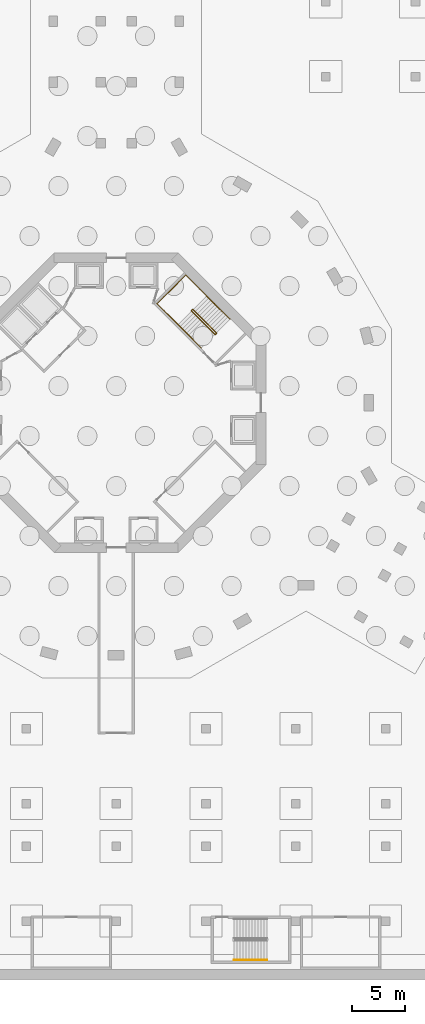
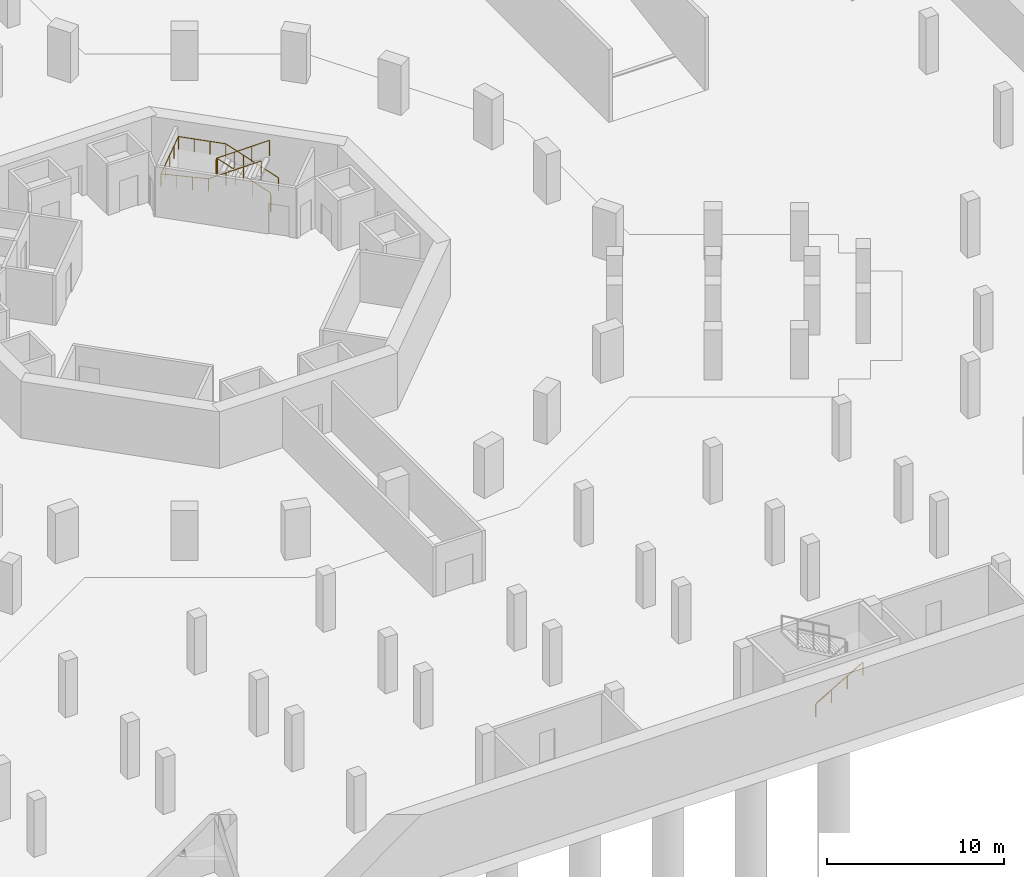
# One storey, part 21 of 27: 3 railings.
"""IFC4 building model written with IfcOpenShell, lengths in metres."""

from ifc_helpers import new_model, si_unit, direction, frame, origin, origin_2d, place, context, subcontext, project, spatial, circle, extrude, material, type_object, element, save


model = new_model("IFC4")

# Units and contexts
model_context = context("Model", 3, precision=1e-05, world=origin(), true_north=direction((0.0, 1.0)))
body_context = subcontext(model_context, "Body", "Model", "MODEL_VIEW")
ifc_project = project(units=[si_unit("LENGTHUNIT", "METRE"), si_unit("AREAUNIT", "SQUARE_METRE"), si_unit("VOLUMEUNIT", "CUBIC_METRE"), si_unit("PLANEANGLEUNIT", "RADIAN"), si_unit("MASSUNIT", "GRAM", prefix="KILO")], contexts=[model_context])

# Site, building, storey
site_placement = place(None, origin())
site = spatial("IfcSite", under=ifc_project, at=site_placement, CompositionType="ELEMENT")
building_placement = place(site_placement, origin())
building = spatial("IfcBuilding", under=site, at=building_placement, Name="Verdalira Terraces Hotel", CompositionType="ELEMENT")
storey_placement = place(building_placement, frame((0.0, 0.0, -11.699951)))
storey = spatial("IfcBuildingStorey", under=building, at=storey_placement, Name="B3", CompositionType="ELEMENT", Elevation=-11.699951171875)

# Railings
ifc_material_1 = material(Name="Stainless steel", Category="steel")
railing_type_1 = type_object("IfcRailingType", Name="Stair guard 1100", PredefinedType="GUARDRAIL", material=ifc_material_1)
railing_1_placement = place(storey_placement, frame((9.369141, 6.469971, 0.0)))
element("IfcRailing", 1, at=railing_1_placement, inside=storey, type_object=railing_type_1, Name="B3 ST1 stair guard 1", PredefinedType="GUARDRAIL", context=body_context, shape_type="SweptSolid", body=[
    extrude(circle(Radius=0.023926, at=origin_2d()), frame((0.0, 0.0, 1.076172), z_axis=(-0.70832698, -0.705884473, 0.0), x_axis=(0.705884473, -0.70832698, 0.0)), (0.0, 0.0, 1.0), 0.099854),
    extrude(circle(Radius=0.023926, at=origin_2d()), frame((-0.070801, -0.070557, 1.076172), z_axis=(0.312430714, 0.623784082, 0.716435949), x_axis=(-0.894118129, 0.447831187, 0.0)), (0.0, 0.0, 1.0), 0.226562),
    extrude(circle(Radius=0.023926, at=origin_2d()), frame((0.0, 0.070801, 1.238281), z_axis=(-0.611598168, 0.611529611, 0.501975315), x_axis=(-0.707067146, -0.707146414, 0.0)), (0.0, 0.0, 1.0), 3.561035),
    extrude(circle(Radius=0.023926, at=origin_2d()), frame((-2.177979, 2.248535, 3.025879), z_axis=(-1.0, 0.0, 0.0), x_axis=(0.0, -1.0, 0.0)), (0.0, 0.0, 1.0), 0.070557),
    extrude(circle(Radius=0.023926, at=origin_2d()), frame((-2.248535, 2.248535, 3.025879), z_axis=(-0.70832698, -0.705884473, 0.0), x_axis=(0.705884473, -0.70832698, 0.0)), (0.0, 0.0, 1.0), 0.099854),
    extrude(circle(Radius=0.023926, at=origin_2d()), frame((-2.319336, 2.177979, 3.025879), z_axis=(0.0, -0.399229438, 0.916851054), x_axis=(1.0, 0.0, 0.0)), (0.0, 0.0, 1.0), 0.177246),
    extrude(circle(Radius=0.023926, at=origin_2d()), frame((-2.319336, 2.107178, 3.188477), z_axis=(0.611619215, -0.611550655, 0.50192403), x_axis=(0.707067146, 0.707146414, 0.0)), (0.0, 0.0, 1.0), 3.561035),
    extrude(circle(Radius=0.020996, at=origin_2d()), origin(), (0.0, 0.0, 1.0), 1.052002),
    extrude(circle(Radius=0.020996, at=origin_2d()), frame((-0.070801, -0.070557, 0.0)), (0.0, 0.0, 1.0), 1.052002),
    extrude(circle(Radius=0.020996, at=origin_2d()), frame((0.0, 0.070801, 0.162354)), (0.0, 0.0, 1.0), 1.052002),
    extrude(circle(Radius=0.020996, at=origin_2d()), frame((-0.726074, 0.796631, 0.758301)), (0.0, 0.0, 1.0), 1.052002),
    extrude(circle(Radius=0.020996, at=origin_2d()), frame((-1.451904, 1.522705, 1.354004)), (0.0, 0.0, 1.0), 1.052002),
    extrude(circle(Radius=0.020996, at=origin_2d()), frame((-2.177979, 2.248535, 1.949951)), (0.0, 0.0, 1.0), 1.052002),
    extrude(circle(Radius=0.020996, at=origin_2d()), frame((-2.248535, 2.248535, 1.949951)), (0.0, 0.0, 1.0), 1.052002),
    extrude(circle(Radius=0.020996, at=origin_2d()), frame((-2.319336, 2.177979, 1.949951)), (0.0, 0.0, 1.0), 1.052002),
    extrude(circle(Radius=0.020996, at=origin_2d()), frame((-2.319336, 2.107178, 2.112549)), (0.0, 0.0, 1.0), 1.052002),
    extrude(circle(Radius=0.020996, at=origin_2d()), frame((-1.593262, 1.381348, 2.708252)), (0.0, 0.0, 1.0), 1.052002),
    extrude(circle(Radius=0.020996, at=origin_2d()), frame((-0.867432, 0.655273, 3.304199)), (0.0, 0.0, 1.0), 1.052002),
    extrude(circle(Radius=0.020996, at=origin_2d()), frame((-0.141357, -0.070557, 3.899902)), (0.0, 0.0, 1.0), 1.052002),
])
ifc_material_2 = material(Name="Stainless steel", Category="steel")
railing_type_2 = type_object("IfcRailingType", Name="Stair handrail 900", PredefinedType="HANDRAIL", material=ifc_material_2)
railing_2_placement = place(storey_placement, frame((10.641846, 7.813477, 0.162354)))
element("IfcRailing", 2, at=railing_2_placement, inside=storey, type_object=railing_type_2, Name="B3 ST1 stair handrail 1", PredefinedType="HANDRAIL", context=body_context, shape_type="SweptSolid", body=[
    extrude(circle(Radius=0.023926, at=origin_2d()), frame((0.0, 0.0, 0.875977), z_axis=(-0.611529611, 0.611598168, 0.501975315), x_axis=(-0.707146414, -0.707067146, 0.0)), (0.0, 0.0, 1.0), 3.561035),
    extrude(circle(Radius=0.023926, at=origin_2d()), frame((-2.177734, 2.177979, 2.663574), z_axis=(-0.707106781, 0.707106781, 0.0), x_axis=(-0.707106781, -0.707106781, 0.0)), (0.0, 0.0, 1.0), 2.77002),
    extrude(circle(Radius=0.023926, at=origin_2d()), frame((-4.136475, 4.136719, 2.663574), z_axis=(-0.707106781, -0.707106781, 0.0), x_axis=(0.707106781, -0.707106781, 0.0)), (0.0, 0.0, 1.0), 3.800049),
    extrude(circle(Radius=0.023926, at=origin_2d()), frame((-6.823486, 1.449707, 2.663574), z_axis=(0.705891772, -0.705891772, 0.058597024), x_axis=(0.707106781, 0.707106781, 0.0)), (0.0, 0.0, 1.0), 2.774902),
    extrude(circle(Radius=0.023926, at=origin_2d()), frame((-4.864746, -0.509033, 2.826172), z_axis=(0.611550655, -0.611619215, 0.50192403), x_axis=(0.707146414, 0.707067146, 0.0)), (0.0, 0.0, 1.0), 3.561035),
    extrude(circle(Radius=0.020996, at=origin_2d()), origin(), (0.0, 0.0, 1.0), 0.851807),
    extrude(circle(Radius=0.020996, at=origin_2d()), frame((-0.72583, 0.726074, 0.595947)), (0.0, 0.0, 1.0), 0.851807),
    extrude(circle(Radius=0.020996, at=origin_2d()), frame((-1.451904, 1.451904, 1.19165)), (0.0, 0.0, 1.0), 0.851807),
    extrude(circle(Radius=0.020996, at=origin_2d()), frame((-2.177734, 2.177979, 1.787598)), (0.0, 0.0, 1.0), 0.851807),
    extrude(circle(Radius=0.020996, at=origin_2d()), frame((-2.830566, 2.830811, 1.787598)), (0.0, 0.0, 1.0), 0.851807),
    extrude(circle(Radius=0.020996, at=origin_2d()), frame((-3.483643, 3.483887, 1.787598)), (0.0, 0.0, 1.0), 0.851807),
    extrude(circle(Radius=0.020996, at=origin_2d()), frame((-4.136475, 4.136719, 1.787598)), (0.0, 0.0, 1.0), 0.851807),
    extrude(circle(Radius=0.020996, at=origin_2d()), frame((-4.808105, 3.464844, 1.787598)), (0.0, 0.0, 1.0), 0.851807),
    extrude(circle(Radius=0.020996, at=origin_2d()), frame((-5.47998, 2.793213, 1.787598)), (0.0, 0.0, 1.0), 0.851807),
    extrude(circle(Radius=0.020996, at=origin_2d()), frame((-6.151855, 2.121582, 1.787598)), (0.0, 0.0, 1.0), 0.851807),
    extrude(circle(Radius=0.020996, at=origin_2d()), frame((-6.823486, 1.449707, 1.787598)), (0.0, 0.0, 1.0), 0.851807),
    extrude(circle(Radius=0.020996, at=origin_2d()), frame((-6.170654, 0.796875, 1.841797)), (0.0, 0.0, 1.0), 0.851807),
    extrude(circle(Radius=0.020996, at=origin_2d()), frame((-5.517578, 0.143799, 1.895996)), (0.0, 0.0, 1.0), 0.851807),
    extrude(circle(Radius=0.020996, at=origin_2d()), frame((-4.864746, -0.509033, 1.950195)), (0.0, 0.0, 1.0), 0.851807),
    extrude(circle(Radius=0.020996, at=origin_2d()), frame((-4.138916, -1.235107, 2.545898)), (0.0, 0.0, 1.0), 0.851807),
    extrude(circle(Radius=0.020996, at=origin_2d()), frame((-3.412842, -1.960938, 3.141846)), (0.0, 0.0, 1.0), 0.851807),
    extrude(circle(Radius=0.020996, at=origin_2d()), frame((-2.687012, -2.687012, 3.737549)), (0.0, 0.0, 1.0), 0.851807),
])
railing_3_placement = place(storey_placement, frame((11.024902, -52.149902, 0.162354)))
element("IfcRailing", 3, at=railing_3_placement, inside=storey, type_object=railing_type_2, Name="B3 Basement stair 6 stair handrail 1", PredefinedType="HANDRAIL", context=body_context, shape_type="SweptSolid", body=[
    extrude(circle(Radius=0.023926, at=origin_2d()), frame((0.0, 0.0, 0.875977), z_axis=(0.864890721, 0.0, 0.501960198), x_axis=(0.0, 1.0, 0.0)), (0.0, 0.0, 1.0), 3.561279),
    extrude(circle(Radius=0.020996, at=origin_2d()), origin(), (0.0, 0.0, 1.0), 0.851807),
    extrude(circle(Radius=0.020996, at=origin_2d()), frame((1.026611, 0.0, 0.595947)), (0.0, 0.0, 1.0), 0.851807),
    extrude(circle(Radius=0.020996, at=origin_2d()), frame((2.053467, 0.0, 1.19165)), (0.0, 0.0, 1.0), 0.851807),
    extrude(circle(Radius=0.020996, at=origin_2d()), frame((3.080078, 0.0, 1.787598)), (0.0, 0.0, 1.0), 0.851807),
])

save(model, "model.ifc")
